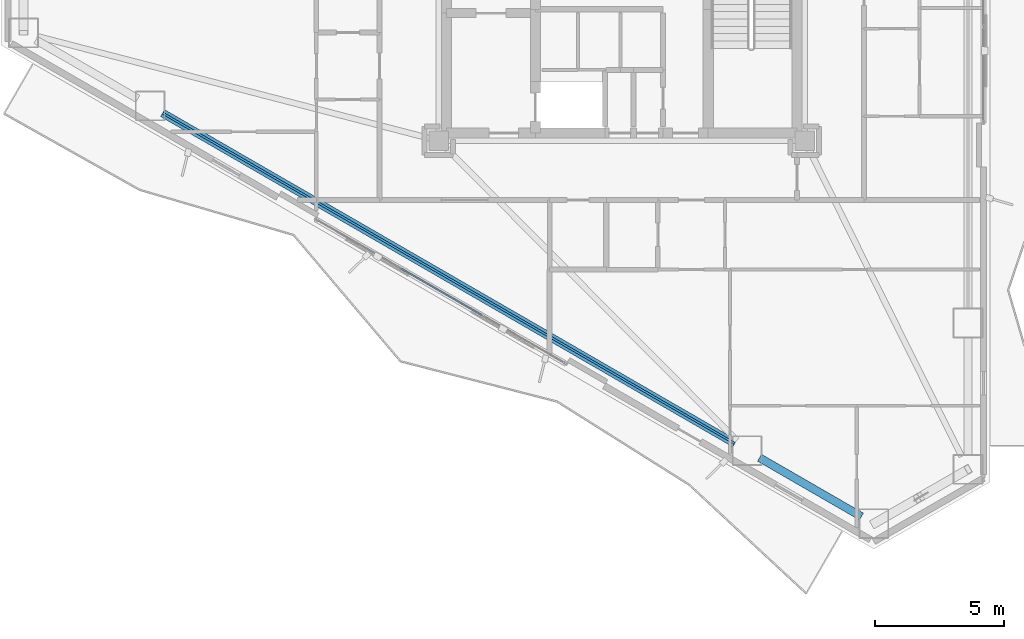
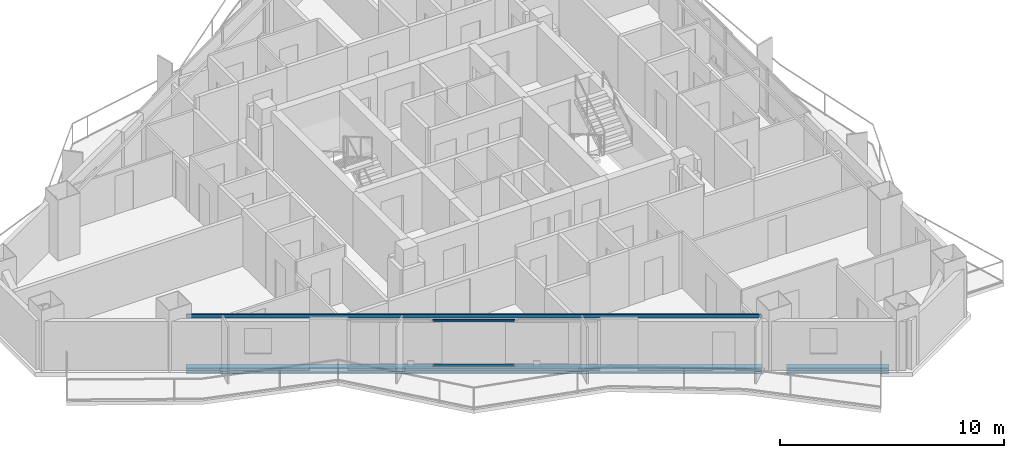
# One storey, part 3 of 22: 3 beams, 2 members, 1 element without a shape of its own.
"""IFC4 building model written with IfcOpenShell, lengths in metres."""

import ifcopenshell
import ifcopenshell.guid

model = None  # the IFC model being written
_history = None  # IfcOwnerHistory: only IFC2X3 demands one
_inside = {}  # id of a spatial element -> (the spatial element, [elements in it])
_under = {}  # id of a project, library or spatial element -> (it, [spatial elements below it])
_declared = {}  # id of a project -> (the project, [libraries it declares])
_typed = {}  # id of a type object -> (the type object, [elements of that type])
_made_of = {}  # id of a material, layer set ... -> (it, [elements and type objects made of it])


def new_model(schema):
    """Start an empty IFC model of exactly this schema.

    Asked for "IFC4X3", IfcOpenShell would pick the latest addendum, in which some entities
    have other attributes; the version numbers below select the first issue.
    IFC2X3 requires an IfcOwnerHistory on every rooted entity: one is made here for all.
    """
    global model, _history
    if schema == "IFC4X3":
        model = ifcopenshell.file(schema_version=(4, 3, 0, 0))
    else:
        model = ifcopenshell.file(schema=schema)
    _inside.clear()
    _under.clear()
    _declared.clear()
    _typed.clear()
    _made_of.clear()
    _history = None
    if model.schema == "IFC2X3":
        org = make("IfcOrganization", Name="unknown")
        user = make(
            "IfcPersonAndOrganization",
            ThePerson=make("IfcPerson", FamilyName="unknown"),
            TheOrganization=org,
        )
        app = make(
            "IfcApplication",
            ApplicationDeveloper=org,
            Version="unknown",
            ApplicationFullName="unknown",
            ApplicationIdentifier="unknown",
        )
        _history = make(
            "IfcOwnerHistory",
            OwningUser=user,
            OwningApplication=app,
            ChangeAction="ADDED",
            CreationDate=0,
        )
    return model


def make(cls, **values):
    """One entity of the class cls with the attributes given. An attribute that is None is left unset."""
    return model.create_entity(
        cls, **{name: value for name, value in values.items() if value is not None}
    )


def rooted(cls, **values):
    """An entity with a GlobalId (a new one), such as an element, a storey or a relation."""
    return make(cls, GlobalId=ifcopenshell.guid.new(), OwnerHistory=_history, **values)


def si_unit(unit_type, name, prefix=None):
    """IfcSIUnit, for example si_unit("LENGTHUNIT", "METRE", prefix="MILLI")."""
    return make("IfcSIUnit", UnitType=unit_type, Prefix=prefix, Name=name)


def assignment(units):
    """IfcUnitAssignment: the units of a project."""
    return None if units is None else make("IfcUnitAssignment", Units=units)


def point(xyz):
    """IfcCartesianPoint."""
    return None if xyz is None else make("IfcCartesianPoint", Coordinates=xyz)


def direction(xyz):
    """IfcDirection."""
    return None if xyz is None else make("IfcDirection", DirectionRatios=xyz)


def frame(location, z_axis=None, x_axis=None):
    """IfcAxis2Placement3D, a coordinate frame: its origin and axes. An axis left out is left unset."""
    return make(
        "IfcAxis2Placement3D",
        Location=point(location),
        Axis=direction(z_axis),
        RefDirection=direction(x_axis),
    )


def frame_2d(location, x_axis=None):
    """IfcAxis2Placement2D, a coordinate frame in the plane: its origin and x axis."""
    return make(
        "IfcAxis2Placement2D", Location=point(location), RefDirection=direction(x_axis)
    )


def origin():
    """The frame at (0, 0, 0) with its axes left unset."""
    return frame((0.0, 0.0, 0.0))


def origin_2d():
    """The frame at (0, 0) in the plane with its x axis left unset."""
    return frame_2d((0.0, 0.0))


def place(relative_to, where):
    """IfcLocalPlacement: puts the frame where relative to a parent placement (None: the world)."""
    return make(
        "IfcLocalPlacement", PlacementRelTo=relative_to, RelativePlacement=where
    )


def context(
    kind, dimensions, precision=None, world=None, true_north=None, identifier=None
):
    """IfcGeometricRepresentationContext, for example the 3D "Model" context."""
    return make(
        "IfcGeometricRepresentationContext",
        ContextIdentifier=identifier,
        ContextType=kind,
        CoordinateSpaceDimension=dimensions,
        Precision=precision,
        WorldCoordinateSystem=world,
        TrueNorth=true_north,
    )


def subcontext(parent, identifier, kind, view, scale=None):
    """IfcGeometricRepresentationSubContext, for example "Body" below "Model"."""
    return make(
        "IfcGeometricRepresentationSubContext",
        ContextIdentifier=identifier,
        ContextType=kind,
        ParentContext=parent,
        TargetScale=scale,
        TargetView=view,
    )


def project(units=None, contexts=None):
    """IfcProject with its units and contexts."""
    return rooted(
        "IfcProject",
        Name="project",
        RepresentationContexts=contexts,
        UnitsInContext=assignment(units),
    )


def spatial(cls, under=None, at=None, **own):
    """A site, building, storey or space (cls), placed at a placement, below another one or the project."""
    s = rooted(cls, ObjectPlacement=at, **own)
    if under is not None:
        _under.setdefault(under.id(), (under, []))[1].append(s)
    return s


def profile(cls, at=None, kind="AREA", **sizes):
    """A parametric profile (cls). Its sizes go by their IFC names, for example OverallWidth=200.0."""
    return make(cls, ProfileType=kind, Position=at, **sizes)


def hollow_rectangle(**sizes):
    """IfcRectangleHollowProfileDef."""
    return profile("IfcRectangleHollowProfileDef", **sizes)


def i_section(**sizes):
    """IfcIShapeProfileDef."""
    return profile("IfcIShapeProfileDef", **sizes)


def extrude(swept, where, along, depth):
    """IfcExtrudedAreaSolid: the profile swept, set in the frame where, extruded along a direction by depth."""
    return make(
        "IfcExtrudedAreaSolid",
        SweptArea=swept,
        Position=where,
        ExtrudedDirection=direction(along),
        Depth=depth,
    )


def shape(context_of_items, identifier, shape_type, items):
    """IfcShapeRepresentation: the items that make up one representation, for example the "Body"."""
    return make(
        "IfcShapeRepresentation",
        ContextOfItems=context_of_items,
        RepresentationIdentifier=identifier,
        RepresentationType=shape_type,
        Items=items,
    )


def material(Name=None, Category=None):
    """IfcMaterial."""
    return make("IfcMaterial", Name=Name, Category=Category)


def layer(
    of_material, thickness, ventilated=None, Name=None, Category=None, Priority=None
):
    """IfcMaterialLayer: one layer of a wall or slab, of a material (None: an air gap)."""
    return make(
        "IfcMaterialLayer",
        Material=of_material,
        LayerThickness=thickness,
        IsVentilated=ventilated,
        Name=Name,
        Category=Category,
        Priority=Priority,
    )


def layer_set(layers, Name=None):
    """IfcMaterialLayerSet."""
    return make("IfcMaterialLayerSet", MaterialLayers=layers, LayerSetName=Name)


def material_profile(
    of_material, cross_section, Name=None, Category=None, Priority=None
):
    """IfcMaterialProfile: a cross section and its material."""
    return make(
        "IfcMaterialProfile",
        Name=Name,
        Material=of_material,
        Profile=cross_section,
        Priority=Priority,
        Category=Category,
    )


def profile_set(profiles, Name=None, composite=None):
    """IfcMaterialProfileSet."""
    return make(
        "IfcMaterialProfileSet",
        Name=Name,
        MaterialProfiles=profiles,
        CompositeProfile=composite,
    )


def made_of(thing, what):
    """Note that an element or type object is made of a material, layer set ...; save() writes the relation."""
    if what is not None:
        _made_of.setdefault(what.id(), (what, []))[1].append(thing)
    return thing


def type_object(cls, material=None, **own):
    """A type object (cls), such as IfcWallType, which elements share."""
    return made_of(rooted(cls, **own), material)


def element(
    cls,
    number,
    at=None,
    inside=None,
    cuts=None,
    type_object=None,
    material=None,
    context=None,
    identifier="Body",
    shape_type=None,
    held_by="IfcProductDefinitionShape",
    body=None,
    shapes=None,
    **own,
):
    """One element of the class cls, such as IfcWall. Its Tag is "e" and its number.

    at: its placement. inside: the storey or other place that contains it. cuts: it is an
    opening in that element (IfcRelVoidsElement). A single representation is given by context,
    identifier, shape_type and body (its items); several are given by shapes. held_by: the class
    of the entity that holds the representations. save() writes the other relations.
    """
    e = rooted(cls, Tag="e%d" % number, ObjectPlacement=at, **own)
    if body is not None:
        shapes = [shape(context, identifier, shape_type, body)]
    if shapes is not None:
        e.Representation = make(held_by, Representations=shapes)
    if inside is not None:
        _inside.setdefault(inside.id(), (inside, []))[1].append(e)
    if cuts is not None:
        rooted(
            "IfcRelVoidsElement", RelatingBuildingElement=cuts, RelatedOpeningElement=e
        )
    if type_object is not None:
        _typed.setdefault(type_object.id(), (type_object, []))[1].append(e)
    return made_of(e, material)


def aggregate(whole, parts):
    """IfcRelAggregates: a whole, such as a stair, and the parts it consists of."""
    return rooted("IfcRelAggregates", RelatingObject=whole, RelatedObjects=parts)


def save(model, path):
    """Write the relations noted so far, then the file.

    IfcRelAggregates (storeys below a building ...), IfcRelContainedInSpatialStructure (elements
    in a storey), IfcRelDefinesByType, IfcRelAssociatesMaterial and IfcRelDeclares: one each for
    every whole, place, type object, material and project.
    """
    for whole, parts in _under.values():
        aggregate(whole, parts)
    for where, things in _inside.values():
        rooted(
            "IfcRelContainedInSpatialStructure",
            RelatedElements=things,
            RelatingStructure=where,
        )
    for kind, things in _typed.values():
        rooted("IfcRelDefinesByType", RelatedObjects=things, RelatingType=kind)
    for what, things in _made_of.values():
        rooted("IfcRelAssociatesMaterial", RelatedObjects=things, RelatingMaterial=what)
    for by, libraries in _declared.values():
        rooted("IfcRelDeclares", RelatingContext=by, RelatedDefinitions=libraries)
    model.write(path)


model = new_model("IFC4")

# Units and contexts
model_context = context("Model", 3, precision=1e-05, world=origin(), true_north=direction((0.0, 1.0)))
body_context = subcontext(model_context, "Body", "Model", "MODEL_VIEW")
ifc_project = project(units=[si_unit("LENGTHUNIT", "METRE"), si_unit("AREAUNIT", "SQUARE_METRE"), si_unit("VOLUMEUNIT", "CUBIC_METRE"), si_unit("PLANEANGLEUNIT", "RADIAN"), si_unit("MASSUNIT", "GRAM", prefix="KILO")], contexts=[model_context])

# Site, building, storey
site_placement = place(None, origin())
site = spatial("IfcSite", under=ifc_project, at=site_placement, CompositionType="ELEMENT")
building_placement = place(site_placement, origin())
building = spatial("IfcBuilding", under=site, at=building_placement, Name="Mersakhor Tower and Convention Hall", CompositionType="ELEMENT")
storey_placement = place(building_placement, frame((0.0, 0.0, 103.199951171875)))
storey = spatial("IfcBuildingStorey", under=building, at=storey_placement, Name="L28", CompositionType="ELEMENT", Elevation=103.199951171875)

# Beams
ifc_material_1 = material(Name="Steel S355", Category="steel")
ifc_material_profile_1 = material_profile(ifc_material_1, hollow_rectangle(XDim=0.080078125, YDim=0.179931640625, WallThickness=0.008056640625, at=origin_2d()), Name="RHS 180x80x8")
ifc_profile_set_1 = profile_set([ifc_material_profile_1], Name="Steel S355")
beam_type_1 = type_object("IfcBeamType", Name="BM-GRT-RHS180", PredefinedType="USERDEFINED", material=ifc_profile_set_1)
beam_1_placement = place(storey_placement, frame((33.38232421875, 8.706787109375, 2.47998046875), z_axis=(-0.866022538643, 0.500004962538, 0.0), x_axis=(-0.500004962538, -0.866022538643, 0.0)))
element("IfcBeam", 1, at=beam_1_placement, inside=storey, type_object=beam_type_1, Name="L28 Facade Support Girt GRT-F3", ObjectType="GIRT", PredefinedType="USERDEFINED", context=body_context, shape_type="SweptSolid", body=[
    extrude(hollow_rectangle(XDim=0.080078125, YDim=0.179931640625, WallThickness=0.008056640625, at=origin_2d()), origin(), (0.0, 0.0, 1.0), 25.633544921875),
])
ifc_material_2 = material(Name="Steel S355", Category="steel")
ifc_material_profile_2 = material_profile(ifc_material_2, i_section(OverallWidth=0.30908203125, OverallDepth=0.320556640625, WebThickness=0.013916015625, FlangeThickness=0.021728515625, at=origin_2d()), Name="UC 305x305x137")
ifc_profile_set_2 = profile_set([ifc_material_profile_2], Name="Steel S355")
beam_type_2 = type_object("IfcBeamType", Name="BM-SPD-UC305", PredefinedType="SPANDREL", material=ifc_profile_set_2)
beam_2_placement = place(storey_placement, frame((38.298095703125, 5.868896484375, -0.41015625), z_axis=(-0.866046694585, 0.499963121439, 0.0), x_axis=(-0.499963121439, -0.866046694585, 0.0)))
element("IfcBeam", 2, at=beam_2_placement, inside=storey, type_object=beam_type_2, Name="L28 Perimeter Spandrel Beam SPB-09", PredefinedType="SPANDREL", context=body_context, shape_type="SweptSolid", body=[
    extrude(i_section(OverallWidth=0.30908203125, OverallDepth=0.320556640625, WebThickness=0.013916015625, FlangeThickness=0.021728515625, at=origin_2d()), origin(), (0.0, 0.0, 1.0), 4.566162109375),
])
beam_3_placement = place(storey_placement, frame((33.38232421875, 8.706787109375, -0.41015625), z_axis=(-0.866022538643, 0.500004962538, 0.0), x_axis=(-0.500004962538, -0.866022538643, 0.0)))
element("IfcBeam", 3, at=beam_3_placement, inside=storey, type_object=beam_type_2, Name="L28 Perimeter Spandrel Beam SPB-10", PredefinedType="SPANDREL", context=body_context, shape_type="SweptSolid", body=[
    extrude(i_section(OverallWidth=0.30908203125, OverallDepth=0.320556640625, WebThickness=0.013916015625, FlangeThickness=0.021728515625, at=origin_2d()), origin(), (0.0, 0.0, 1.0), 25.633544921875),
])

# Curtain wall, members
ifc_material_3 = material(Name="Dark solar low-E aluminium curtain wall", Category="aluminium")
ifc_layer = layer(ifc_material_3, 0.159912109375)
ifc_layer_set = layer_set([ifc_layer], Name="Dark solar low-E aluminium curtain wall")
curtain_wall_type = type_object("IfcCurtainWallType", Name="CW-SYS-01", PredefinedType="USERDEFINED", material=ifc_layer_set)
curtain_wall_placement = place(storey_placement, origin())
curtain_wall = element("IfcCurtainWall", 4, at=curtain_wall_placement, inside=storey, type_object=curtain_wall_type, Name="L28 Dark-Glass Curtain Wall F3-B2", ObjectType="CURTAIN WALL", PredefinedType="USERDEFINED")
ifc_material_4 = material(Name="Anodised aluminium EN AW-6063 T6", Category="aluminium")
ifc_material_profile_3 = material_profile(ifc_material_4, hollow_rectangle(XDim=0.06005859375, YDim=0.1201171875, WallThickness=0.0048828125, at=origin_2d()), Name="RHS 120x60x5")
ifc_profile_set_3 = profile_set([ifc_material_profile_3], Name="Anodised aluminium EN AW-6063 T6")
member_type = type_object("IfcMemberType", Name="CWT-120x60", PredefinedType="USERDEFINED", material=ifc_profile_set_3)
member_1_placement = place(storey_placement, frame((23.571044921875, 13.6787109375, 0.22998046875), z_axis=(-0.866039286129, 0.499975954304, 0.0), x_axis=(-0.499975954304, -0.866039286129, 0.0)))
member_1 = element("IfcMember", 5, at=member_1_placement, type_object=member_type, Name="CW-01 transom 2.1", ObjectType="TRANSOM", PredefinedType="USERDEFINED", context=body_context, shape_type="SweptSolid", body=[
    extrude(hollow_rectangle(XDim=0.06005859375, YDim=0.1201171875, WallThickness=0.0048828125, at=origin_2d()), origin(), (0.0, 0.0, 1.0), 3.668212890625),
])
member_2_placement = place(storey_placement, frame((23.571044921875, 13.6787109375, 2.64013671875), z_axis=(-0.866039286129, 0.499975954304, 0.0), x_axis=(-0.499975954304, -0.866039286129, 0.0)))
member_2 = element("IfcMember", 6, at=member_2_placement, type_object=member_type, Name="CW-01 transom 2.2", ObjectType="TRANSOM", PredefinedType="USERDEFINED", context=body_context, shape_type="SweptSolid", body=[
    extrude(hollow_rectangle(XDim=0.06005859375, YDim=0.1201171875, WallThickness=0.0048828125, at=origin_2d()), origin(), (0.0, 0.0, 1.0), 3.668212890625),
])
aggregate(curtain_wall, [member_1, member_2])

save(model, "model.ifc")
